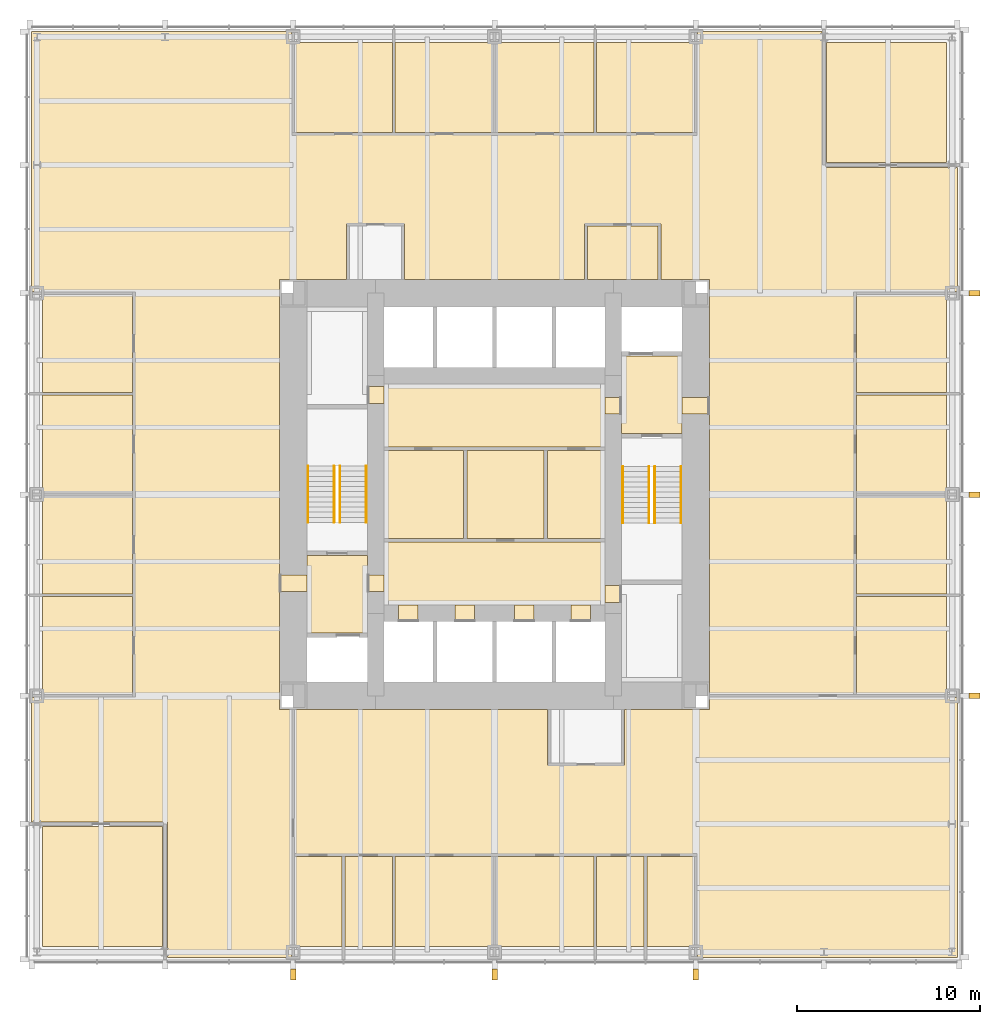
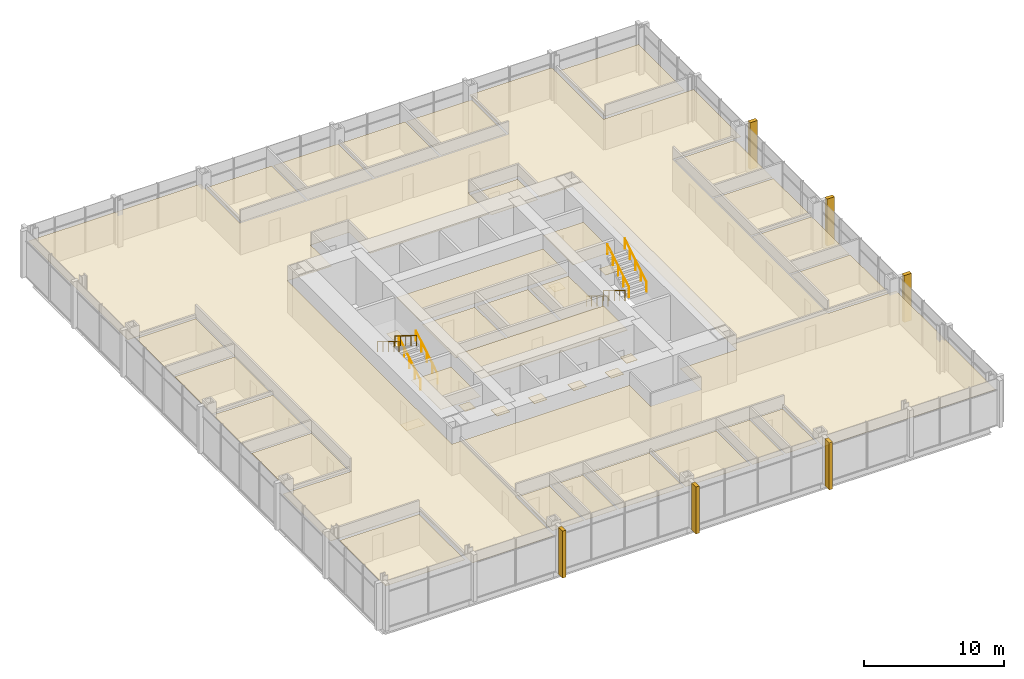
# One storey, part 12 of 12: 46 coverings, 8 railings.
"""IFC4 building model written with IfcOpenShell, lengths in metres."""

from ifc_helpers import new_model, si_unit, direction, frame, origin, origin_2d, place, context, subcontext, project, spatial, polyline, rectangle, circle, outline, extrude, material, layer, layer_set, type_object, element, save


model = new_model("IFC4")

# Units and contexts
model_context = context("Model", 3, precision=1e-05, world=origin(), true_north=direction((0.0, 1.0)))
body_context = subcontext(model_context, "Body", "Model", "MODEL_VIEW")
ifc_project = project(units=[si_unit("LENGTHUNIT", "METRE"), si_unit("AREAUNIT", "SQUARE_METRE"), si_unit("VOLUMEUNIT", "CUBIC_METRE"), si_unit("PLANEANGLEUNIT", "RADIAN"), si_unit("MASSUNIT", "GRAM", prefix="KILO")], contexts=[model_context])

# Site, building, storey
site_placement = place(None, origin())
site = spatial("IfcSite", under=ifc_project, at=site_placement, CompositionType="ELEMENT")
building_placement = place(site_placement, origin())
building = spatial("IfcBuilding", under=site, at=building_placement, Name="Trevanion Tower", CompositionType="ELEMENT")
storey_placement = place(building_placement, frame((0.0, 0.0, 69.300048828125)))
storey = spatial("IfcBuildingStorey", under=building, at=storey_placement, Name="L16", CompositionType="ELEMENT", Elevation=69.300048828125)

# Coverings
ifc_material_1 = material(Name="Fibrous plaster coffers on suspended steel grid", Category="steel")
ifc_layer_1 = layer(ifc_material_1, 0.050048828125)
ifc_layer_set_1 = layer_set([ifc_layer_1], Name="CL1 coffered fibrous plaster ceiling 50")
covering_type_1 = type_object("IfcCoveringType", Name="CL1 coffered fibrous plaster ceiling 50", PredefinedType="CEILING", material=ifc_layer_set_1)
covering_1_placement = place(storey_placement, frame((0.0, 0.0, 3.0)))
element("IfcCovering", 1, at=covering_1_placement, inside=storey, type_object=covering_type_1, Name="CL1 L16-LBS", PredefinedType="CEILING", context=body_context, shape_type="SweptSolid", body=[
    extrude(outline(polyline([(6.050048828125, -6.050048828125), (6.050048828125, -2.60009765625), (-6.050048828125, -2.60009765625), (-6.050048828125, -6.050048828125), (6.050048828125, -6.050048828125)])), origin(), (0.0, 0.0, 1.0), 0.050048828125),
])
ifc_material_2 = material(Name="Mineral fibre acoustic tiles in exposed grid", Category="mineral fibre")
ifc_layer_2 = layer(ifc_material_2, 0.02001953125)
ifc_layer_set_2 = layer_set([ifc_layer_2], Name="CL2 acoustic tile ceiling 20")
covering_type_2 = type_object("IfcCoveringType", Name="CL2 acoustic tile ceiling 20", PredefinedType="CEILING", material=ifc_layer_set_2)
covering_2_placement = place(storey_placement, frame((0.0, 0.0, 2.75)))
element("IfcCovering", 2, at=covering_2_placement, inside=storey, type_object=covering_type_2, Name="CL2 L16-LBN", PredefinedType="CEILING", context=body_context, shape_type="SweptSolid", body=[
    extrude(outline(polyline([(6.050048828125, 2.60009765625), (6.050048828125, 6.050048828125), (-6.050048828125, 6.050048828125), (-6.050048828125, 2.60009765625), (6.050048828125, 2.60009765625)])), origin(), (0.0, 0.0, 1.0), 0.02001953125),
])
covering_3_placement = place(storey_placement, frame((0.0, 0.0, 2.75)))
element("IfcCovering", 3, at=covering_3_placement, inside=storey, type_object=covering_type_2, Name="CL2 L16-OF", PredefinedType="CEILING", context=body_context, shape_type="SweptSolid", body=[
    extrude(outline(polyline([(18.14990234375, 18.14990234375), (18.14990234375, 24.699951171875), (24.699951171875, 24.699951171875), (24.699951171875, 18.14990234375), (18.14990234375, 18.14990234375)])), origin(), (0.0, 0.0, 1.0), 0.02001953125),
])
covering_4_placement = place(storey_placement, frame((0.0, 0.0, 2.75)))
element("IfcCovering", 4, at=covering_4_placement, inside=storey, type_object=covering_type_2, Name="CL2 L16-OF2", PredefinedType="CEILING", context=body_context, shape_type="SweptSolid", body=[
    extrude(outline(polyline([(-18.14990234375, -18.14990234375), (-18.14990234375, -24.699951171875), (-24.699951171875, -24.699951171875), (-24.699951171875, -18.14990234375), (-18.14990234375, -18.14990234375)])), origin(), (0.0, 0.0, 1.0), 0.02001953125),
])
covering_5_placement = place(storey_placement, frame((0.0, 0.0, 2.75)))
element("IfcCovering", 5, at=covering_5_placement, inside=storey, type_object=covering_type_2, Name="CL2 L16-MR", PredefinedType="CEILING", context=body_context, shape_type="SweptSolid", body=[
    extrude(outline(polyline([(10.925048828125, 19.77490234375), (5.574951171875, 19.77490234375), (5.574951171875, 24.699951171875), (10.925048828125, 24.699951171875), (10.925048828125, 19.77490234375)])), origin(), (0.0, 0.0, 1.0), 0.02001953125),
])
covering_6_placement = place(storey_placement, frame((0.0, 0.0, 2.75)))
element("IfcCovering", 6, at=covering_6_placement, inside=storey, type_object=covering_type_2, Name="CL2 L16-MR2", PredefinedType="CEILING", context=body_context, shape_type="SweptSolid", body=[
    extrude(outline(polyline([(5.425048828125, 19.77490234375), (0.074951171875, 19.77490234375), (0.074951171875, 24.699951171875), (5.425048828125, 24.699951171875), (5.425048828125, 19.77490234375)])), origin(), (0.0, 0.0, 1.0), 0.02001953125),
])
covering_7_placement = place(storey_placement, frame((0.0, 0.0, 2.75)))
element("IfcCovering", 7, at=covering_7_placement, inside=storey, type_object=covering_type_2, Name="CL2 L16-MR3", PredefinedType="CEILING", context=body_context, shape_type="SweptSolid", body=[
    extrude(outline(polyline([(-0.074951171875, 19.77490234375), (-5.425048828125, 19.77490234375), (-5.425048828125, 24.699951171875), (-0.074951171875, 24.699951171875), (-0.074951171875, 19.77490234375)])), origin(), (0.0, 0.0, 1.0), 0.02001953125),
])
covering_8_placement = place(storey_placement, frame((0.0, 0.0, 2.75)))
element("IfcCovering", 8, at=covering_8_placement, inside=storey, type_object=covering_type_2, Name="CL2 L16-MR4", PredefinedType="CEILING", context=body_context, shape_type="SweptSolid", body=[
    extrude(outline(polyline([(-5.574951171875, 19.77490234375), (-10.925048828125, 19.77490234375), (-10.925048828125, 24.699951171875), (-5.574951171875, 24.699951171875), (-5.574951171875, 19.77490234375)])), origin(), (0.0, 0.0, 1.0), 0.02001953125),
])
covering_9_placement = place(storey_placement, frame((0.0, 0.0, 2.75)))
element("IfcCovering", 9, at=covering_9_placement, inside=storey, type_object=covering_type_2, Name="CL2 L16-FR", PredefinedType="CEILING", context=body_context, shape_type="SweptSolid", body=[
    extrude(outline(polyline([(-10.925048828125, -19.77490234375), (-8.324951171875, -19.77490234375), (-8.324951171875, -24.699951171875), (-10.925048828125, -24.699951171875), (-10.925048828125, -19.77490234375)])), origin(), (0.0, 0.0, 1.0), 0.02001953125),
])
covering_10_placement = place(storey_placement, frame((0.0, 0.0, 2.75)))
element("IfcCovering", 10, at=covering_10_placement, inside=storey, type_object=covering_type_2, Name="CL2 L16-FR2", PredefinedType="CEILING", context=body_context, shape_type="SweptSolid", body=[
    extrude(outline(polyline([(-8.175048828125, -19.77490234375), (-5.574951171875, -19.77490234375), (-5.574951171875, -24.699951171875), (-8.175048828125, -24.699951171875), (-8.175048828125, -19.77490234375)])), origin(), (0.0, 0.0, 1.0), 0.02001953125),
])
covering_11_placement = place(storey_placement, frame((0.0, 0.0, 2.75)))
element("IfcCovering", 11, at=covering_11_placement, inside=storey, type_object=covering_type_2, Name="CL2 L16-MR5", PredefinedType="CEILING", context=body_context, shape_type="SweptSolid", body=[
    extrude(outline(polyline([(-5.425048828125, -19.77490234375), (-0.074951171875, -19.77490234375), (-0.074951171875, -24.699951171875), (-5.425048828125, -24.699951171875), (-5.425048828125, -19.77490234375)])), origin(), (0.0, 0.0, 1.0), 0.02001953125),
])
covering_12_placement = place(storey_placement, frame((0.0, 0.0, 2.75)))
element("IfcCovering", 12, at=covering_12_placement, inside=storey, type_object=covering_type_2, Name="CL2 L16-MR6", PredefinedType="CEILING", context=body_context, shape_type="SweptSolid", body=[
    extrude(outline(polyline([(0.074951171875, -19.77490234375), (5.425048828125, -19.77490234375), (5.425048828125, -24.699951171875), (0.074951171875, -24.699951171875), (0.074951171875, -19.77490234375)])), origin(), (0.0, 0.0, 1.0), 0.02001953125),
])
covering_13_placement = place(storey_placement, frame((0.0, 0.0, 2.75)))
element("IfcCovering", 13, at=covering_13_placement, inside=storey, type_object=covering_type_2, Name="CL2 L16-FR3", PredefinedType="CEILING", context=body_context, shape_type="SweptSolid", body=[
    extrude(outline(polyline([(5.574951171875, -19.77490234375), (8.175048828125, -19.77490234375), (8.175048828125, -24.699951171875), (5.574951171875, -24.699951171875), (5.574951171875, -19.77490234375)])), origin(), (0.0, 0.0, 1.0), 0.02001953125),
])
covering_14_placement = place(storey_placement, frame((0.0, 0.0, 2.75)))
element("IfcCovering", 14, at=covering_14_placement, inside=storey, type_object=covering_type_2, Name="CL2 L16-FR4", PredefinedType="CEILING", context=body_context, shape_type="SweptSolid", body=[
    extrude(outline(polyline([(8.324951171875, -19.77490234375), (10.925048828125, -19.77490234375), (10.925048828125, -24.699951171875), (8.324951171875, -24.699951171875), (8.324951171875, -19.77490234375)])), origin(), (0.0, 0.0, 1.0), 0.02001953125),
])
covering_15_placement = place(storey_placement, frame((0.0, 0.0, 2.75)))
element("IfcCovering", 15, at=covering_15_placement, inside=storey, type_object=covering_type_2, Name="CL2 L16-OF3", PredefinedType="CEILING", context=body_context, shape_type="SweptSolid", body=[
    extrude(outline(polyline([(19.77490234375, -10.925048828125), (19.77490234375, -5.574951171875), (24.699951171875, -5.574951171875), (24.699951171875, -10.925048828125), (19.77490234375, -10.925048828125)])), origin(), (0.0, 0.0, 1.0), 0.02001953125),
])
covering_16_placement = place(storey_placement, frame((0.0, 0.0, 2.75)))
element("IfcCovering", 16, at=covering_16_placement, inside=storey, type_object=covering_type_2, Name="CL2 L16-OF4", PredefinedType="CEILING", context=body_context, shape_type="SweptSolid", body=[
    extrude(outline(polyline([(19.77490234375, -5.425048828125), (19.77490234375, -0.074951171875), (24.699951171875, -0.074951171875), (24.699951171875, -5.425048828125), (19.77490234375, -5.425048828125)])), origin(), (0.0, 0.0, 1.0), 0.02001953125),
])
covering_17_placement = place(storey_placement, frame((0.0, 0.0, 2.75)))
element("IfcCovering", 17, at=covering_17_placement, inside=storey, type_object=covering_type_2, Name="CL2 L16-OF5", PredefinedType="CEILING", context=body_context, shape_type="SweptSolid", body=[
    extrude(outline(polyline([(19.77490234375, 0.074951171875), (19.77490234375, 5.425048828125), (24.699951171875, 5.425048828125), (24.699951171875, 0.074951171875), (19.77490234375, 0.074951171875)])), origin(), (0.0, 0.0, 1.0), 0.02001953125),
])
covering_18_placement = place(storey_placement, frame((0.0, 0.0, 2.75)))
element("IfcCovering", 18, at=covering_18_placement, inside=storey, type_object=covering_type_2, Name="CL2 L16-MR7", PredefinedType="CEILING", context=body_context, shape_type="SweptSolid", body=[
    extrude(outline(polyline([(19.77490234375, 5.574951171875), (19.77490234375, 10.925048828125), (24.699951171875, 10.925048828125), (24.699951171875, 5.574951171875), (19.77490234375, 5.574951171875)])), origin(), (0.0, 0.0, 1.0), 0.02001953125),
])
covering_19_placement = place(storey_placement, frame((0.0, 0.0, 2.75)))
element("IfcCovering", 19, at=covering_19_placement, inside=storey, type_object=covering_type_2, Name="CL2 L16-OF6", PredefinedType="CEILING", context=body_context, shape_type="SweptSolid", body=[
    extrude(outline(polyline([(-19.77490234375, 10.925048828125), (-19.77490234375, 5.574951171875), (-24.699951171875, 5.574951171875), (-24.699951171875, 10.925048828125), (-19.77490234375, 10.925048828125)])), origin(), (0.0, 0.0, 1.0), 0.02001953125),
])
covering_20_placement = place(storey_placement, frame((0.0, 0.0, 2.75)))
element("IfcCovering", 20, at=covering_20_placement, inside=storey, type_object=covering_type_2, Name="CL2 L16-OF7", PredefinedType="CEILING", context=body_context, shape_type="SweptSolid", body=[
    extrude(outline(polyline([(-19.77490234375, 5.425048828125), (-19.77490234375, 0.074951171875), (-24.699951171875, 0.074951171875), (-24.699951171875, 5.425048828125), (-19.77490234375, 5.425048828125)])), origin(), (0.0, 0.0, 1.0), 0.02001953125),
])
covering_21_placement = place(storey_placement, frame((0.0, 0.0, 2.75)))
element("IfcCovering", 21, at=covering_21_placement, inside=storey, type_object=covering_type_2, Name="CL2 L16-OF8", PredefinedType="CEILING", context=body_context, shape_type="SweptSolid", body=[
    extrude(outline(polyline([(-19.77490234375, -0.074951171875), (-19.77490234375, -5.425048828125), (-24.699951171875, -5.425048828125), (-24.699951171875, -0.074951171875), (-19.77490234375, -0.074951171875)])), origin(), (0.0, 0.0, 1.0), 0.02001953125),
])
covering_22_placement = place(storey_placement, frame((0.0, 0.0, 2.75)))
element("IfcCovering", 22, at=covering_22_placement, inside=storey, type_object=covering_type_2, Name="CL2 L16-MR8", PredefinedType="CEILING", context=body_context, shape_type="SweptSolid", body=[
    extrude(outline(polyline([(-19.77490234375, -5.574951171875), (-19.77490234375, -10.925048828125), (-24.699951171875, -10.925048828125), (-24.699951171875, -5.574951171875), (-19.77490234375, -5.574951171875)])), origin(), (0.0, 0.0, 1.0), 0.02001953125),
])
covering_23_placement = place(storey_placement, frame((0.0, 0.0, 2.75)))
element("IfcCovering", 23, at=covering_23_placement, inside=storey, type_object=covering_type_2, Name="CL2 L16-OP", PredefinedType="CEILING", context=body_context, shape_type="SweptSolid", body=[
    extrude(outline(polyline([(-11.0, -11.75), (-11.0, -19.679931640625), (-11.094970703125, -19.679931640625), (-11.094970703125, -25.300048828125), (-17.8798828125, -25.300048828125), (-17.8798828125, -17.8798828125), (-25.300048828125, -17.8798828125), (-25.300048828125, -11.094970703125), (-19.679931640625, -11.094970703125), (-19.679931640625, 11.094970703125), (-25.300048828125, 11.094970703125), (-25.300048828125, 25.300048828125), (-11.094970703125, 25.300048828125), (-11.094970703125, 19.679931640625), (11.094970703125, 19.679931640625), (11.094970703125, 25.300048828125), (17.8798828125, 25.300048828125), (17.8798828125, 17.8798828125), (25.300048828125, 17.8798828125), (25.300048828125, 11.094970703125), (19.679931640625, 11.094970703125), (19.679931640625, -11.0), (11.75, -11.0), (11.75, 11.75), (9.094970703125, 11.75), (9.094970703125, 14.77001953125), (4.905029296875, 14.77001953125), (4.905029296875, 11.75), (-4.905029296875, 11.75), (-4.905029296875, 14.77001953125), (-8.094970703125, 14.77001953125), (-8.094970703125, 11.75), (-11.75, 11.75), (-11.75, -11.75), (-11.0, -11.75)])), origin(), (0.0, 0.0, 1.0), 0.02001953125),
])
covering_24_placement = place(storey_placement, frame((0.0, 0.0, 2.75)))
element("IfcCovering", 24, at=covering_24_placement, inside=storey, type_object=covering_type_2, Name="CL2 L16-OP2", PredefinedType="CEILING", context=body_context, shape_type="SweptSolid", body=[
    extrude(outline(polyline([(2.905029296875, -11.75), (2.905029296875, -14.77001953125), (7.094970703125, -14.77001953125), (7.094970703125, -11.75), (11.75, -11.75), (11.75, -11.0), (19.679931640625, -11.0), (19.679931640625, -11.094970703125), (25.300048828125, -11.094970703125), (25.300048828125, -25.300048828125), (11.094970703125, -25.300048828125), (11.094970703125, -19.679931640625), (-11.0, -19.679931640625), (-11.0, -11.75), (2.905029296875, -11.75)])), origin(), (0.0, 0.0, 1.0), 0.02001953125),
])
ifc_material_3 = material(Name="Gypsum plasterboard on suspended metal furring", Category="gypsum")
ifc_layer_3 = layer(ifc_material_3, 0.012939453125)
ifc_layer_set_3 = layer_set([ifc_layer_3], Name="CL3 plasterboard ceiling 13")
covering_type_3 = type_object("IfcCoveringType", Name="CL3 plasterboard ceiling 13", PredefinedType="CEILING", material=ifc_layer_set_3)
covering_25_placement = place(storey_placement, frame((0.0, 0.0, 2.699951171875)))
element("IfcCovering", 25, at=covering_25_placement, inside=storey, type_object=covering_type_3, Name="CL3 L16-FV1", PredefinedType="CEILING", context=body_context, shape_type="SweptSolid", body=[
    extrude(outline(polyline([(10.25, 3.324951171875), (10.25, 7.574951171875), (6.949951171875, 7.574951171875), (6.949951171875, 3.324951171875), (10.25, 3.324951171875)])), origin(), (0.0, 0.0, 1.0), 0.012939453125),
])
covering_26_placement = place(storey_placement, frame((0.0, 0.0, 2.699951171875)))
element("IfcCovering", 26, at=covering_26_placement, inside=storey, type_object=covering_type_3, Name="CL3 L16-FV2", PredefinedType="CEILING", context=body_context, shape_type="SweptSolid", body=[
    extrude(outline(polyline([(-10.25, -3.324951171875), (-10.25, -7.574951171875), (-6.949951171875, -7.574951171875), (-6.949951171875, -3.324951171875), (-10.25, -3.324951171875)])), origin(), (0.0, 0.0, 1.0), 0.012939453125),
])
ifc_material_4 = material(Name="Moisture-resistant gypsum board on suspended metal furring", Category="gypsum")
ifc_layer_4 = layer(ifc_material_4, 0.01611328125)
ifc_layer_set_4 = layer_set([ifc_layer_4], Name="CL4 moisture-resistant board ceiling 16")
covering_type_4 = type_object("IfcCoveringType", Name="CL4 moisture-resistant board ceiling 16", PredefinedType="CEILING", material=ifc_layer_set_4)
covering_27_placement = place(storey_placement, frame((0.0, 0.0, 2.599853515625)))
element("IfcCovering", 27, at=covering_27_placement, inside=storey, type_object=covering_type_4, Name="CL4 L16-WCF", PredefinedType="CEILING", context=body_context, shape_type="SweptSolid", body=[
    extrude(outline(polyline([(-1.699951171875, -2.39990234375), (-1.699951171875, 2.39990234375), (-6.050048828125, 2.39990234375), (-6.050048828125, -2.39990234375), (-1.699951171875, -2.39990234375)])), origin(), (0.0, 0.0, 1.0), 0.01611328125),
])
covering_28_placement = place(storey_placement, frame((0.0, 0.0, 2.599853515625)))
element("IfcCovering", 28, at=covering_28_placement, inside=storey, type_object=covering_type_4, Name="CL4 L16-WCM", PredefinedType="CEILING", context=body_context, shape_type="SweptSolid", body=[
    extrude(outline(polyline([(2.699951171875, -2.39990234375), (2.699951171875, 2.39990234375), (-1.5, 2.39990234375), (-1.5, -2.39990234375), (2.699951171875, -2.39990234375)])), origin(), (0.0, 0.0, 1.0), 0.01611328125),
])
covering_29_placement = place(storey_placement, frame((0.0, 0.0, 2.599853515625)))
element("IfcCovering", 29, at=covering_29_placement, inside=storey, type_object=covering_type_4, Name="CL4 L16-WCA", PredefinedType="CEILING", context=body_context, shape_type="SweptSolid", body=[
    extrude(outline(polyline([(6.050048828125, -2.39990234375), (6.050048828125, 2.39990234375), (2.89990234375, 2.39990234375), (2.89990234375, -2.39990234375), (6.050048828125, -2.39990234375)])), origin(), (0.0, 0.0, 1.0), 0.01611328125),
])
covering_30_placement = place(storey_placement, frame((0.0, 0.0, 2.599853515625)))
element("IfcCovering", 30, at=covering_30_placement, inside=storey, type_object=covering_type_4, Name="CL4 L16-PA", PredefinedType="CEILING", context=body_context, shape_type="SweptSolid", body=[
    extrude(outline(polyline([(5.074951171875, 14.675048828125), (8.925048828125, 14.675048828125), (8.925048828125, 11.75), (5.074951171875, 11.75), (5.074951171875, 14.675048828125)])), origin(), (0.0, 0.0, 1.0), 0.01611328125),
])
ifc_material_5 = material(Name="Cast bronze fin on aluminium carrier", Category="aluminium")
covering_type_5 = type_object("IfcCoveringType", Name="F1 bronze fin", PredefinedType="CLADDING", material=ifc_material_5)
for number, where, z_axis, x_axis, name in (
    (31, (26.22509765625, -11.0, -0.190185546875), (0.0, 0.0, 1.0), (0.0, 1.0, 0.0), "F1 L16 east -11.0"),
    (32, (26.22509765625, 0.0, -0.190185546875), (0.0, 0.0, 1.0), (0.0, 1.0, 0.0), "F1 L16 east +0.0"),
    (33, (26.22509765625, 11.0, -0.190185546875), (0.0, 0.0, 1.0), (0.0, 1.0, 0.0), "F1 L16 east +11.0"),
    (34, (-11.0, -26.22509765625, -0.190185546875), (0.0, 0.0, 1.0), (1.0, 0.0, 0.0), "F1 L16 south -11.0"),
    (35, (0.0, -26.22509765625, -0.190185546875), (0.0, 0.0, 1.0), (1.0, 0.0, 0.0), "F1 L16 south +0.0"),
    (36, (11.0, -26.22509765625, -0.190185546875), (0.0, 0.0, 1.0), (1.0, 0.0, 0.0), "F1 L16 south +11.0"),
):
    element("IfcCovering", number, at=place(storey_placement, frame(where, z_axis=z_axis, x_axis=x_axis)), inside=storey, type_object=covering_type_5, Name=name, PredefinedType="CLADDING", context=body_context, shape_type="SweptSolid", body=[
        extrude(rectangle(XDim=0.300048828125, YDim=0.60009765625, at=origin_2d()), origin(), (0.0, 0.0, 1.0), 4.10009765625),
    ])
ifc_material_6 = material(Name="Terrazzo, brass divider strips", Category="stone")
ifc_layer_5 = layer(ifc_material_6, 0.02001953125)
ifc_layer_set_5 = layer_set([ifc_layer_5], Name="FF1 terrazzo flooring")
covering_type_6 = type_object("IfcCoveringType", Name="FF1 terrazzo flooring", PredefinedType="FLOORING", material=ifc_layer_set_5)
covering_31_placement = place(storey_placement, origin())
element("IfcCovering", 37, at=covering_31_placement, inside=storey, type_object=covering_type_6, Name="FF1 threshold 16-001", PredefinedType="FLOORING", context=body_context, shape_type="SweptSolid", body=[
    extrude(outline(polyline([(11.75, 4.392578125), (11.75, 5.3076171875), (10.25, 5.3076171875), (10.25, 4.392578125), (11.75, 4.392578125)])), origin(), (0.0, 0.0, 1.0), 0.02001953125),
])
covering_32_placement = place(storey_placement, origin())
element("IfcCovering", 38, at=covering_32_placement, inside=storey, type_object=covering_type_6, Name="FF1 threshold 16-002", PredefinedType="FLOORING", context=body_context, shape_type="SweptSolid", body=[
    extrude(outline(polyline([(-11.75, -4.392578125), (-11.75, -5.3076171875), (-10.25, -5.3076171875), (-10.25, -4.392578125), (-11.75, -4.392578125)])), origin(), (0.0, 0.0, 1.0), 0.02001953125),
])
covering_33_placement = place(storey_placement, origin())
element("IfcCovering", 39, at=covering_33_placement, inside=storey, type_object=covering_type_6, Name="FF1 threshold 16-003", PredefinedType="FLOORING", context=body_context, shape_type="SweptSolid", body=[
    extrude(outline(polyline([(6.949951171875, 4.392578125), (6.949951171875, 5.3076171875), (6.050048828125, 5.3076171875), (6.050048828125, 4.392578125), (6.949951171875, 4.392578125)])), origin(), (0.0, 0.0, 1.0), 0.02001953125),
])
covering_34_placement = place(storey_placement, origin())
element("IfcCovering", 40, at=covering_34_placement, inside=storey, type_object=covering_type_6, Name="FF1 threshold 16-004", PredefinedType="FLOORING", context=body_context, shape_type="SweptSolid", body=[
    extrude(outline(polyline([(-6.949951171875, -4.392578125), (-6.949951171875, -5.3076171875), (-6.050048828125, -5.3076171875), (-6.050048828125, -4.392578125), (-6.949951171875, -4.392578125)])), origin(), (0.0, 0.0, 1.0), 0.02001953125),
])
covering_35_placement = place(storey_placement, origin())
element("IfcCovering", 41, at=covering_35_placement, inside=storey, type_object=covering_type_6, Name="FF1 threshold 16-009", PredefinedType="FLOORING", context=body_context, shape_type="SweptSolid", body=[
    extrude(outline(polyline([(6.949951171875, -5.889892578125), (6.949951171875, -4.97509765625), (6.050048828125, -4.97509765625), (6.050048828125, -5.889892578125), (6.949951171875, -5.889892578125)])), origin(), (0.0, 0.0, 1.0), 0.02001953125),
])
covering_36_placement = place(storey_placement, origin())
element("IfcCovering", 42, at=covering_36_placement, inside=storey, type_object=covering_type_6, Name="FF1 threshold 16-010", PredefinedType="FLOORING", context=body_context, shape_type="SweptSolid", body=[
    extrude(outline(polyline([(-6.949951171875, 5.889892578125), (-6.949951171875, 4.97509765625), (-6.050048828125, 4.97509765625), (-6.050048828125, 5.889892578125), (-6.949951171875, 5.889892578125)])), origin(), (0.0, 0.0, 1.0), 0.02001953125),
])
covering_37_placement = place(storey_placement, origin())
element("IfcCovering", 43, at=covering_37_placement, inside=storey, type_object=covering_type_6, Name="FF1 threshold 16-011", PredefinedType="FLOORING", context=body_context, shape_type="SweptSolid", body=[
    extrude(outline(polyline([(-5.2333984375, -6.949951171875), (-4.16650390625, -6.949951171875), (-4.16650390625, -6.050048828125), (-5.2333984375, -6.050048828125), (-5.2333984375, -6.949951171875)])), origin(), (0.0, 0.0, 1.0), 0.02001953125),
])
covering_38_placement = place(storey_placement, origin())
element("IfcCovering", 44, at=covering_38_placement, inside=storey, type_object=covering_type_6, Name="FF1 threshold 16-012", PredefinedType="FLOORING", context=body_context, shape_type="SweptSolid", body=[
    extrude(outline(polyline([(-2.158447265625, -6.949951171875), (-1.091552734375, -6.949951171875), (-1.091552734375, -6.050048828125), (-2.158447265625, -6.050048828125), (-2.158447265625, -6.949951171875)])), origin(), (0.0, 0.0, 1.0), 0.02001953125),
])
covering_39_placement = place(storey_placement, origin())
element("IfcCovering", 45, at=covering_39_placement, inside=storey, type_object=covering_type_6, Name="FF1 threshold 16-013", PredefinedType="FLOORING", context=body_context, shape_type="SweptSolid", body=[
    extrude(outline(polyline([(1.091552734375, -6.949951171875), (2.158447265625, -6.949951171875), (2.158447265625, -6.050048828125), (1.091552734375, -6.050048828125), (1.091552734375, -6.949951171875)])), origin(), (0.0, 0.0, 1.0), 0.02001953125),
])
covering_40_placement = place(storey_placement, origin())
element("IfcCovering", 46, at=covering_40_placement, inside=storey, type_object=covering_type_6, Name="FF1 threshold 16-014", PredefinedType="FLOORING", context=body_context, shape_type="SweptSolid", body=[
    extrude(outline(polyline([(4.16650390625, -6.949951171875), (5.2333984375, -6.949951171875), (5.2333984375, -6.050048828125), (4.16650390625, -6.050048828125), (4.16650390625, -6.949951171875)])), origin(), (0.0, 0.0, 1.0), 0.02001953125),
])

# Railings
ifc_material_7 = material(Name="Stainless steel tube 40 mm", Category="steel")
railing_type = type_object("IfcRailingType", Name="HR1 handrail", PredefinedType="HANDRAIL", material=ifc_material_7)
for number, where, name in (
    (47, (7.010009765625, 1.52490234375, 0.170654296875), "HR1 ST1 L16 flight 1"),
    (48, (8.43994140625, 1.52490234375, 0.170654296875), "HR1 ST1 L16 flight 1"),
):
    element("IfcRailing", number, at=place(storey_placement, frame(where)), inside=storey, type_object=railing_type, Name=name, PredefinedType="HANDRAIL", context=body_context, shape_type="SweptSolid", body=[
        extrude(circle(Radius=0.02001953125, at=origin_2d()), frame((0.0, 0.0, 0.8798828125), z_axis=(0.0, -0.853617861917, 0.520899746416), x_axis=(1.0, 0.0, 0.0)), (0.0, 0.0, 1.0), 3.60791015625),
        extrude(circle(Radius=0.01513671875, at=origin_2d()), origin(), (0.0, 0.0, 1.0), 0.85986328125),
        extrude(circle(Radius=0.01513671875, at=origin_2d()), frame((0.0, -0.77001953125, 0.4697265625)), (0.0, 0.0, 1.0), 0.85986328125),
        extrude(circle(Radius=0.01513671875, at=origin_2d()), frame((0.0, -1.5400390625, 0.939697265625)), (0.0, 0.0, 1.0), 0.85986328125),
        extrude(circle(Radius=0.01513671875, at=origin_2d()), frame((0.0, -2.309814453125, 1.40966796875)), (0.0, 0.0, 1.0), 0.85986328125),
        extrude(circle(Radius=0.01513671875, at=origin_2d()), frame((0.0, -3.079833984375, 1.87939453125)), (0.0, 0.0, 1.0), 0.85986328125),
    ])
for number, where, name in (
    (49, (8.760009765625, -1.554931640625, 2.220703125), "HR1 ST1 L16 flight 2"),
    (50, (10.18994140625, -1.554931640625, 2.220703125), "HR1 ST1 L16 flight 2"),
):
    element("IfcRailing", number, at=place(storey_placement, frame(where)), inside=storey, type_object=railing_type, Name=name, PredefinedType="HANDRAIL", context=body_context, shape_type="SweptSolid", body=[
        extrude(circle(Radius=0.02001953125, at=origin_2d()), frame((0.0, 0.0, 0.8798828125), z_axis=(0.0, 0.853647949592, 0.520850437417), x_axis=(-1.0, 0.0, 0.0)), (0.0, 0.0, 1.0), 3.60791015625),
        extrude(circle(Radius=0.01513671875, at=origin_2d()), origin(), (0.0, 0.0, 1.0), 0.85986328125),
        extrude(circle(Radius=0.01513671875, at=origin_2d()), frame((0.0, 0.77001953125, 0.4697265625)), (0.0, 0.0, 1.0), 0.85986328125),
        extrude(circle(Radius=0.01513671875, at=origin_2d()), frame((0.0, 1.5400390625, 0.939453125)), (0.0, 0.0, 1.0), 0.85986328125),
        extrude(circle(Radius=0.01513671875, at=origin_2d()), frame((0.0, 2.309814453125, 1.409423828125)), (0.0, 0.0, 1.0), 0.85986328125),
        extrude(circle(Radius=0.01513671875, at=origin_2d()), frame((0.0, 3.079833984375, 1.879150390625)), (0.0, 0.0, 1.0), 0.85986328125),
    ])
for number, where, name in (
    (51, (-7.010009765625, -1.52490234375, 0.170654296875), "HR1 ST2 L16 flight 1"),
    (52, (-8.43994140625, -1.52490234375, 0.170654296875), "HR1 ST2 L16 flight 1"),
):
    element("IfcRailing", number, at=place(storey_placement, frame(where)), inside=storey, type_object=railing_type, Name=name, PredefinedType="HANDRAIL", context=body_context, shape_type="SweptSolid", body=[
        extrude(circle(Radius=0.02001953125, at=origin_2d()), frame((0.0, 0.0, 0.8798828125), z_axis=(0.0, 0.853617861917, 0.520899746416), x_axis=(-1.0, 0.0, 0.0)), (0.0, 0.0, 1.0), 3.60791015625),
        extrude(circle(Radius=0.01513671875, at=origin_2d()), origin(), (0.0, 0.0, 1.0), 0.85986328125),
        extrude(circle(Radius=0.01513671875, at=origin_2d()), frame((0.0, 0.77001953125, 0.4697265625)), (0.0, 0.0, 1.0), 0.85986328125),
        extrude(circle(Radius=0.01513671875, at=origin_2d()), frame((0.0, 1.5400390625, 0.939697265625)), (0.0, 0.0, 1.0), 0.85986328125),
        extrude(circle(Radius=0.01513671875, at=origin_2d()), frame((0.0, 2.309814453125, 1.40966796875)), (0.0, 0.0, 1.0), 0.85986328125),
        extrude(circle(Radius=0.01513671875, at=origin_2d()), frame((0.0, 3.079833984375, 1.87939453125)), (0.0, 0.0, 1.0), 0.85986328125),
    ])
for number, where, name in (
    (53, (-8.760009765625, 1.554931640625, 2.220703125), "HR1 ST2 L16 flight 2"),
    (54, (-10.18994140625, 1.554931640625, 2.220703125), "HR1 ST2 L16 flight 2"),
):
    element("IfcRailing", number, at=place(storey_placement, frame(where)), inside=storey, type_object=railing_type, Name=name, PredefinedType="HANDRAIL", context=body_context, shape_type="SweptSolid", body=[
        extrude(circle(Radius=0.02001953125, at=origin_2d()), frame((0.0, 0.0, 0.8798828125), z_axis=(0.0, -0.853647949592, 0.520850437417), x_axis=(1.0, 0.0, 0.0)), (0.0, 0.0, 1.0), 3.60791015625),
        extrude(circle(Radius=0.01513671875, at=origin_2d()), origin(), (0.0, 0.0, 1.0), 0.85986328125),
        extrude(circle(Radius=0.01513671875, at=origin_2d()), frame((0.0, -0.77001953125, 0.4697265625)), (0.0, 0.0, 1.0), 0.85986328125),
        extrude(circle(Radius=0.01513671875, at=origin_2d()), frame((0.0, -1.5400390625, 0.939453125)), (0.0, 0.0, 1.0), 0.85986328125),
        extrude(circle(Radius=0.01513671875, at=origin_2d()), frame((0.0, -2.309814453125, 1.409423828125)), (0.0, 0.0, 1.0), 0.85986328125),
        extrude(circle(Radius=0.01513671875, at=origin_2d()), frame((0.0, -3.079833984375, 1.879150390625)), (0.0, 0.0, 1.0), 0.85986328125),
    ])

save(model, "model.ifc")
